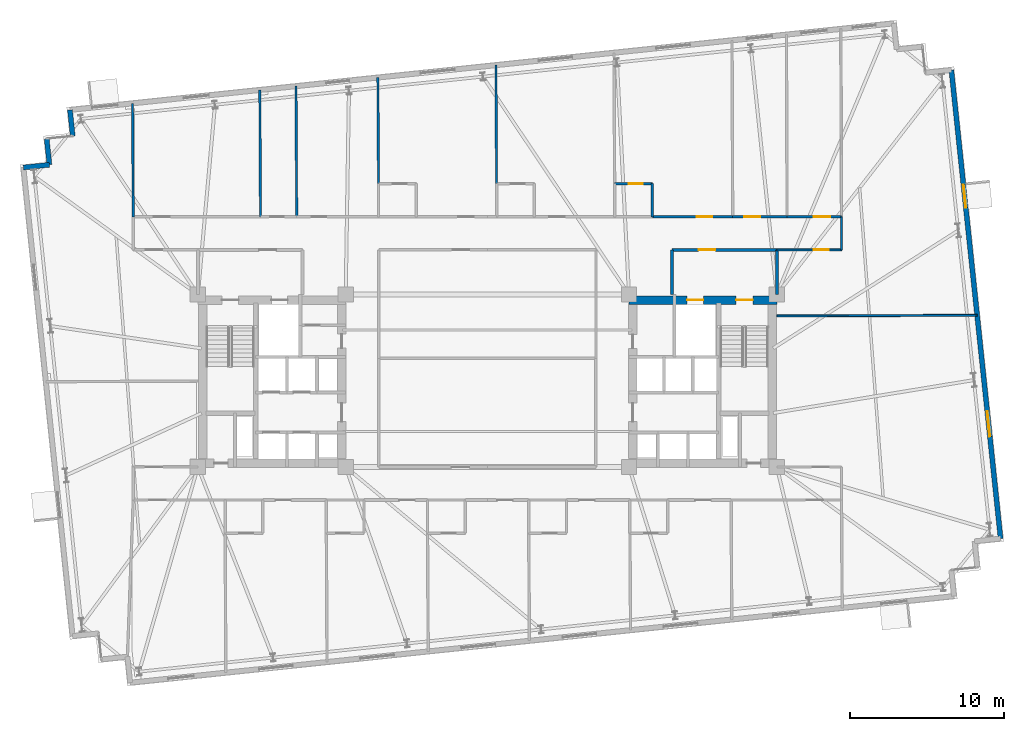
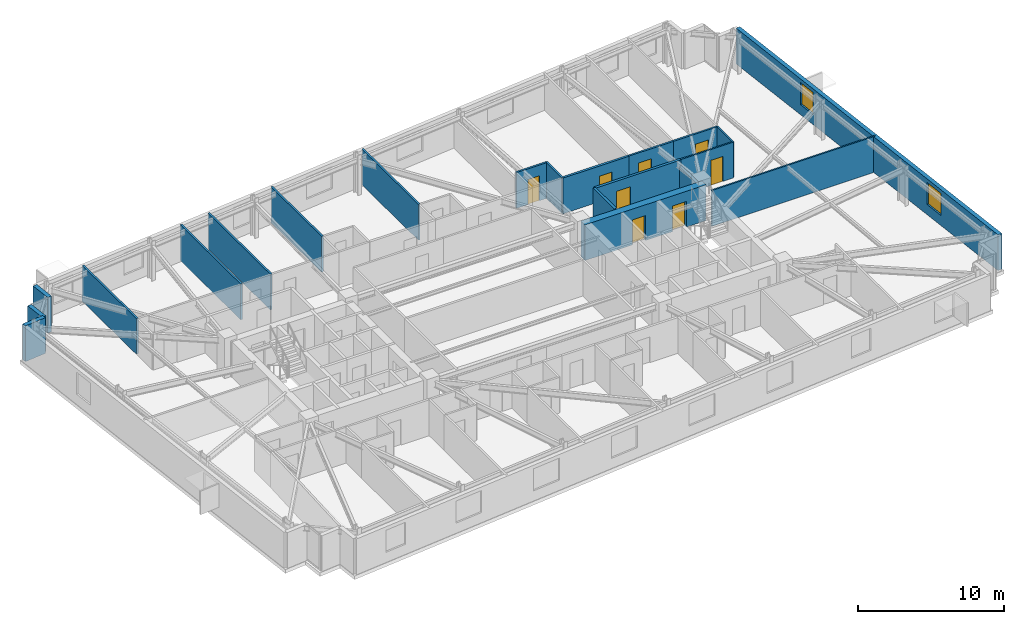
# One storey, part 15 of 19: 21 walls, 8 doors, 2 windows, 10 openings.
"""IFC4 building model written with IfcOpenShell, lengths in metres."""

from ifc_helpers import new_model, si_unit, direction, frame, frame_2d, origin, place, context, subcontext, project, spatial, rectangle, extrude, material, layer, layer_set, type_object, element, fill, save


model = new_model("IFC4")

# Units and contexts
model_context = context("Model", 3, precision=1e-05, world=origin(), true_north=direction((0.0, 1.0)))
body_context = subcontext(model_context, "Body", "Model", "MODEL_VIEW")
ifc_project = project(units=[si_unit("LENGTHUNIT", "METRE"), si_unit("AREAUNIT", "SQUARE_METRE"), si_unit("VOLUMEUNIT", "CUBIC_METRE"), si_unit("PLANEANGLEUNIT", "RADIAN"), si_unit("MASSUNIT", "GRAM", prefix="KILO")], contexts=[model_context])

# Site, building, storey
site_placement = place(None, origin())
site = spatial("IfcSite", under=ifc_project, at=site_placement, CompositionType="ELEMENT")
building_placement = place(site_placement, origin())
building = spatial("IfcBuilding", under=site, at=building_placement, Name="Qobustan Lattice House", CompositionType="ELEMENT")
storey_placement = place(building_placement, frame((0.0, 0.0, 122.550048828125)))
storey = spatial("IfcBuildingStorey", under=building, at=storey_placement, Name="L34", CompositionType="ELEMENT", Elevation=122.550048828125)

# Wall, openings, doors
ifc_material_1 = material(Name="Concrete C60/75", Category="concrete")
ifc_layer_1 = layer(ifc_material_1, 0.56005859375)
ifc_layer_set_1 = layer_set([ifc_layer_1], Name="Concrete C60/75")
wall_type_1 = type_object("IfcWallType", Name="WAL-CORE-600", PredefinedType="SHEAR", material=ifc_layer_set_1)
wall_1_placement = place(storey_placement, frame((9.199951171875, 5.239990234375, 0.0), z_axis=(0.0, 0.0, 1.0), x_axis=(1.0, 0.0, 0.0)))
wall_1 = element("IfcWall", 1, at=wall_1_placement, inside=storey, type_object=wall_type_1, Name="L34 split-core shear wall CE-N", PredefinedType="SHEAR", context=body_context, shape_type="SweptSolid", body=[
    extrude(rectangle(XDim=9.60009765625, YDim=0.56005859375, at=frame_2d((4.800048828125, 0.0))), origin(), (0.0, 0.0, 1.0), 3.0),
])
opening_1_placement = place(wall_1_placement, frame((6.949951171875, 0.0, 0.0)))
opening_1 = element("IfcOpeningElement", 2, at=opening_1_placement, cuts=wall_1, Name="Opening SD-01", PredefinedType="OPENING", context=body_context, shape_type="SweptSolid", body=[
    extrude(rectangle(XDim=1.10009765625, YDim=2.14990234375, at=frame_2d((0.550048828125, 1.074951171875))), frame((0.0, 0.2900390625, 0.0), z_axis=(0.0, -1.0, 0.0), x_axis=(1.0, 0.0, 0.0)), (0.0, 0.0, 1.0), 0.580078125),
])
opening_2_placement = place(wall_1_placement, frame((3.77490234375, 0.0, 0.0)))
opening_2 = element("IfcOpeningElement", 3, at=opening_2_placement, cuts=wall_1, Name="Opening LD-01", PredefinedType="OPENING", context=body_context, shape_type="SweptSolid", body=[
    extrude(rectangle(XDim=1.050048828125, YDim=2.10009765625, at=frame_2d((0.52490234375, 1.050048828125))), frame((0.0, 0.2900390625, 0.0), z_axis=(0.0, -1.0, 0.0), x_axis=(1.0, 0.0, 0.0)), (0.0, 0.0, 1.0), 0.580078125),
])
ifc_material_2 = material(Name="Persian walnut timber and steel frame door", Category="steel")
door_type_1 = type_object("IfcDoorType", Name="DOR-LIFT-LD-1050x2100", OperationType="NOTDEFINED", PredefinedType="DOOR", material=ifc_material_2)
door_1_placement = place(opening_2_placement, origin())
door_1 = element("IfcDoor", 4, at=door_1_placement, inside=storey, type_object=door_type_1, Name="L34 firefighting lift FF-E landing door", OperationType="DOUBLE_DOOR_SLIDING", OverallHeight=2.10009765625, OverallWidth=1.050048828125, PredefinedType="DOOR", context=body_context, shape_type="SweptSolid", body=[
    extrude(rectangle(XDim=1.050048828125, YDim=2.10009765625, at=frame_2d((0.52490234375, 1.050048828125))), frame((0.0, 0.02490234375, 0.0), z_axis=(0.0, -1.0, 0.0), x_axis=(1.0, 0.0, 0.0)), (0.0, 0.0, 1.0), 0.050048828125),
])
fill(opening_2, door_1)
ifc_material_3 = material(Name="Persian walnut timber and steel frame door", Category="steel")
door_type_2 = type_object("IfcDoorType", Name="DOR-STAIR-FD-1100x2150", OperationType="NOTDEFINED", PredefinedType="DOOR", material=ifc_material_3)
door_2_placement = place(opening_1_placement, origin())
door_2 = element("IfcDoor", 5, at=door_2_placement, inside=storey, type_object=door_type_2, Name="L34 exit stair ST-E1 fire door", OperationType="SINGLE_SWING_LEFT", OverallHeight=2.14990234375, OverallWidth=1.10009765625, PredefinedType="DOOR", context=body_context, shape_type="SweptSolid", body=[
    extrude(rectangle(XDim=1.10009765625, YDim=2.14990234375, at=frame_2d((0.550048828125, 1.074951171875))), frame((0.0, 0.02490234375, 0.0), z_axis=(0.0, -1.0, 0.0), x_axis=(1.0, 0.0, 0.0)), (0.0, 0.0, 1.0), 0.050048828125),
])
fill(opening_1, door_2)

# Walls
ifc_material_4 = material(Name="Precast concrete C40/50", Category="concrete")
ifc_layer_2 = layer(ifc_material_4, 0.320068359375)
ifc_layer_set_2 = layer_set([ifc_layer_2], Name="Precast concrete C40/50")
wall_type_2 = type_object("IfcWallType", Name="WAL-EXT-STONE-320", PredefinedType="SOLIDWALL", material=ifc_layer_set_2)
for number, where, z_axis, x_axis, name in (
    (6, (-30.13330078125, 13.84912109375, 0.0), (0.0, 0.0, 1.0), (0.994534530939, 0.104408173862, 0.0), "L34 exterior limestone-clad wall 6"),
    (7, (-28.442626953125, 14.026611328125, 0.0), (0.0, 0.0, 1.0), (-0.104550220202, 0.994519608382, 0.0), "L34 exterior limestone-clad wall 7"),
    (8, (-26.9296875, 15.89501953125, 0.0), (0.0, 0.0, 1.0), (-0.104550220202, 0.994519608382, 0.0), "L34 exterior limestone-clad wall 9"),
):
    element("IfcWall", number, at=place(storey_placement, frame(where, z_axis=z_axis, x_axis=x_axis)), inside=storey, type_object=wall_type_2, Name=name, PredefinedType="SOLIDWALL", context=body_context, shape_type="SweptSolid", body=[
        extrude(rectangle(XDim=1.699951171875, YDim=0.320068359375, at=frame_2d((0.85009765625, 0.0))), origin(), (0.0, 0.0, 1.0), 3.0),
    ])

# Wall, openings, windows
wall_2_placement = place(storey_placement, frame((30.134765625, 20.183349609375, 0.0), z_axis=(0.0, 0.0, 1.0), x_axis=(0.104525716865, -0.994522184023, 0.0)))
wall_2 = element("IfcWall", 9, at=wall_2_placement, inside=storey, type_object=wall_type_2, Name="L34 exterior limestone-clad wall 15", PredefinedType="SOLIDWALL", context=body_context, shape_type="SweptSolid", body=[
    extrude(rectangle(XDim=30.60009765625, YDim=0.320068359375, at=frame_2d((15.300048828125, 0.0))), origin(), (0.0, 0.0, 1.0), 3.0),
])
opening_3_placement = place(wall_2_placement, frame((7.500732421875, 0.0, 0.85009765625)))
opening_3 = element("IfcOpeningElement", 10, at=opening_3_placement, cuts=wall_2, Name="Opening WN-01", PredefinedType="OPENING", context=body_context, shape_type="SweptSolid", body=[
    extrude(rectangle(XDim=1.5, YDim=1.85009765625, at=frame_2d((0.75, 0.925048828125))), frame((0.0, 0.169921875, 0.0), z_axis=(0.0, -1.0, 0.0), x_axis=(1.0, 0.0, 0.0)), (0.0, 0.0, 1.0), 0.340087890625),
])
opening_4_placement = place(wall_2_placement, frame((22.28515625, 0.0, 0.85009765625)))
opening_4 = element("IfcOpeningElement", 11, at=opening_4_placement, cuts=wall_2, Name="Opening WN-09", PredefinedType="OPENING", context=body_context, shape_type="SweptSolid", body=[
    extrude(rectangle(XDim=1.64990234375, YDim=1.85009765625, at=frame_2d((0.824951171875, 0.925048828125))), frame((0.0, 0.169921875, 0.0), z_axis=(0.0, -1.0, 0.0), x_axis=(1.0, 0.0, 0.0)), (0.0, 0.0, 1.0), 0.340087890625),
])
ifc_material_5 = material(Name="Double-glazed low-E aluminium window", Category="aluminium")
window_type_1 = type_object("IfcWindowType", Name="WIN-BED-1500x1850", PartitioningType="SINGLE_PANEL", PredefinedType="WINDOW", material=ifc_material_5)
window_1_placement = place(opening_3_placement, origin())
window_1 = element("IfcWindow", 12, at=window_1_placement, inside=storey, type_object=window_type_1, Name="L34 Music and podcast studio window", OverallHeight=1.85009765625, OverallWidth=1.5, PartitioningType="SINGLE_PANEL", PredefinedType="WINDOW", context=body_context, shape_type="SweptSolid", body=[
    extrude(rectangle(XDim=1.5, YDim=1.85009765625, at=frame_2d((0.75, 0.925048828125))), frame((0.0, 0.030029296875, 0.0), z_axis=(0.0, -1.0, 0.0), x_axis=(1.0, 0.0, 0.0)), (0.0, 0.0, 1.0), 0.06005859375),
])
fill(opening_3, window_1)
ifc_material_6 = material(Name="Double-glazed low-E aluminium window", Category="aluminium")
window_type_2 = type_object("IfcWindowType", Name="WIN-STU-1650x1850", PartitioningType="SINGLE_PANEL", PredefinedType="WINDOW", material=ifc_material_6)
window_2_placement = place(opening_4_placement, origin())
window_2 = element("IfcWindow", 13, at=window_2_placement, inside=storey, type_object=window_type_2, Name="L34 Academic seminar room window", OverallHeight=1.85009765625, OverallWidth=1.64990234375, PartitioningType="SINGLE_PANEL", PredefinedType="WINDOW", context=body_context, shape_type="SweptSolid", body=[
    extrude(rectangle(XDim=1.64990234375, YDim=1.85009765625, at=frame_2d((0.824951171875, 0.925048828125))), frame((0.0, 0.030029296875, 0.0), z_axis=(0.0, -1.0, 0.0), x_axis=(1.0, 0.0, 0.0)), (0.0, 0.0, 1.0), 0.06005859375),
])
fill(opening_4, window_2)

# Wall, opening, door
ifc_material_7 = material(Name="Gypsum fireboard acoustic partition", Category="gypsum")
ifc_layer_3 = layer(ifc_material_7, 0.179931640625)
ifc_layer_set_3 = layer_set([ifc_layer_3], Name="Gypsum fireboard acoustic partition")
wall_type_3 = type_object("IfcWallType", Name="WAL-FIRE-180", PredefinedType="PARTITIONING", material=ifc_layer_set_3)
wall_3_placement = place(storey_placement, frame((10.717041015625, 10.64990234375, 0.0), z_axis=(0.0, 0.0, 1.0), x_axis=(1.0, 0.0, 0.0)))
wall_3 = element("IfcWall", 14, at=wall_3_placement, inside=storey, type_object=wall_type_3, Name="L34 interior partition 50", PredefinedType="PARTITIONING", context=body_context, shape_type="SweptSolid", body=[
    extrude(rectangle(XDim=5.216064453125, YDim=0.179931640625, at=frame_2d((2.60791015625, 0.0))), origin(), (0.0, 0.0, 1.0), 3.0),
])
opening_5_placement = place(wall_3_placement, frame((2.8720703125, 0.0, 0.0)))
opening_5 = element("IfcOpeningElement", 15, at=opening_5_placement, cuts=wall_3, Name="Opening FD-02", PredefinedType="OPENING", context=body_context, shape_type="SweptSolid", body=[
    extrude(rectangle(XDim=1.0, YDim=2.14990234375, at=frame_2d((0.5, 1.074951171875))), frame((0.0, 0.099853515625, 0.0), z_axis=(0.0, -1.0, 0.0), x_axis=(1.0, 0.0, 0.0)), (0.0, 0.0, 1.0), 0.199951171875),
])
ifc_material_8 = material(Name="Persian walnut timber and steel frame door", Category="steel")
door_type_3 = type_object("IfcDoorType", Name="DOR-UNIT-FD-1000x2150", OperationType="NOTDEFINED", PredefinedType="DOOR", material=ifc_material_8)
door_3_placement = place(opening_5_placement, origin())
door_3 = element("IfcDoor", 16, at=door_3_placement, inside=storey, type_object=door_type_3, Name="L34 North-east floor corridor to Kitchenette and studio apartment L34-N5 door", OperationType="SINGLE_SWING_LEFT", OverallHeight=2.14990234375, OverallWidth=1.0, PredefinedType="DOOR", context=body_context, shape_type="SweptSolid", body=[
    extrude(rectangle(XDim=1.0, YDim=2.14990234375, at=frame_2d((0.5, 1.074951171875))), frame((0.0, 0.02490234375, 0.0), z_axis=(0.0, -1.0, 0.0), x_axis=(1.0, 0.0, 0.0)), (0.0, 0.0, 1.0), 0.050048828125),
])
fill(opening_5, door_3)

ifc_material_9 = material(Name="Lightweight acoustic stud partition", Category="gypsum")
ifc_layer_4 = layer(ifc_material_9, 0.125)
ifc_layer_set_4 = layer_set([ifc_layer_4], Name="Lightweight acoustic stud partition")
wall_type_4 = type_object("IfcWallType", Name="WAL-PART-125", PredefinedType="PARTITIONING", material=ifc_layer_set_4)
wall_4_placement = place(storey_placement, frame((23.0, 8.5, 0.0), z_axis=(0.0, 0.0, 1.0), x_axis=(-1.0, 0.0, 0.0)))
wall_4 = element("IfcWall", 17, at=wall_4_placement, inside=storey, type_object=wall_type_4, Name="L34 interior partition 45", PredefinedType="PARTITIONING", context=body_context, shape_type="SweptSolid", body=[
    extrude(rectangle(XDim=4.199951171875, YDim=0.125, at=frame_2d((2.10009765625, 0.0))), origin(), (0.0, 0.0, 1.0), 3.0),
])
opening_6_placement = place(wall_4_placement, frame((0.84130859375, 0.0, 0.0)))
opening_6 = element("IfcOpeningElement", 18, at=opening_6_placement, cuts=wall_4, Name="Opening ID-01", PredefinedType="OPENING", context=body_context, shape_type="SweptSolid", body=[
    extrude(rectangle(XDim=0.949951171875, YDim=2.10009765625, at=frame_2d((0.47509765625, 1.050048828125))), frame((0.0, 0.072509765625, 0.0), z_axis=(0.0, -1.0, 0.0), x_axis=(1.0, 0.0, 0.0)), (0.0, 0.0, 1.0), 0.14501953125),
])
ifc_material_10 = material(Name="Persian walnut timber and steel frame door", Category="steel")
door_type_4 = type_object("IfcDoorType", Name="DOR-ROOM-950x2100", OperationType="NOTDEFINED", PredefinedType="DOOR", material=ifc_material_10)
door_4_placement = place(opening_6_placement, origin())
door_4 = element("IfcDoor", 19, at=door_4_placement, inside=storey, type_object=door_type_4, Name="L34 North-east floor corridor to Music and podcast studio door", OperationType="SINGLE_SWING_LEFT", OverallHeight=2.10009765625, OverallWidth=0.949951171875, PredefinedType="DOOR", context=body_context, shape_type="SweptSolid", body=[
    extrude(rectangle(XDim=0.949951171875, YDim=2.10009765625, at=frame_2d((0.47509765625, 1.050048828125))), frame((0.0, 0.02490234375, 0.0), z_axis=(0.0, -1.0, 0.0), x_axis=(1.0, 0.0, 0.0)), (0.0, 0.0, 1.0), 0.050048828125),
])
fill(opening_6, door_4)

# Walls
wall_5_placement = place(storey_placement, frame((23.0, 10.64990234375, 0.0), z_axis=(0.0, 0.0, 1.0), x_axis=(0.0, -1.0, 0.0)))
element("IfcWall", 20, at=wall_5_placement, inside=storey, type_object=wall_type_4, Name="L34 interior partition 46", PredefinedType="PARTITIONING", context=body_context, shape_type="SweptSolid", body=[
    extrude(rectangle(XDim=2.14990234375, YDim=0.125, at=frame_2d((1.074951171875, 0.0))), origin(), (0.0, 0.0, 1.0), 3.0),
])
wall_6_placement = place(storey_placement, frame((18.800048828125, 4.208251953125, 0.0), z_axis=(0.0, 0.0, 1.0), x_axis=(0.9999942944, 0.003378042094, 0.0)))
element("IfcWall", 21, at=wall_6_placement, inside=storey, type_object=wall_type_4, Name="L34 interior partition 81", PredefinedType="PARTITIONING", context=body_context, shape_type="SweptSolid", body=[
    extrude(rectangle(XDim=13.009033203125, YDim=0.125, at=frame_2d((6.50439453125, 0.0))), origin(), (0.0, 0.0, 1.0), 3.0),
])

# Wall, opening, door
ifc_material_11 = material(Name="Acoustic twin-stud gypsum partition", Category="gypsum")
ifc_layer_5 = layer(ifc_material_11, 0.14990234375)
ifc_layer_set_5 = layer_set([ifc_layer_5], Name="Acoustic twin-stud gypsum partition")
wall_type_5 = type_object("IfcWallType", Name="WAL-PART-150", PredefinedType="PARTITIONING", material=ifc_layer_set_5)
wall_7_placement = place(storey_placement, frame((15.93310546875, 10.64990234375, 0.0), z_axis=(0.0, 0.0, 1.0), x_axis=(1.0, 0.0, 0.0)))
wall_7 = element("IfcWall", 22, at=wall_7_placement, inside=storey, type_object=wall_type_5, Name="L34 interior partition 52", PredefinedType="PARTITIONING", context=body_context, shape_type="SweptSolid", body=[
    extrude(rectangle(XDim=3.533447265625, YDim=0.14990234375, at=frame_2d((1.7666015625, 0.0))), origin(), (0.0, 0.0, 1.0), 3.0),
])
opening_7_placement = place(wall_7_placement, frame((0.745361328125, 0.0, 0.0)))
opening_7 = element("IfcOpeningElement", 23, at=opening_7_placement, cuts=wall_7, Name="Opening ID-02", PredefinedType="OPENING", context=body_context, shape_type="SweptSolid", body=[
    extrude(rectangle(XDim=1.050048828125, YDim=2.14990234375, at=frame_2d((0.52490234375, 1.074951171875))), frame((0.0, 0.0849609375, 0.0), z_axis=(0.0, -1.0, 0.0), x_axis=(1.0, 0.0, 0.0)), (0.0, 0.0, 1.0), 0.169921875),
])
ifc_material_12 = material(Name="Persian walnut timber and steel frame door", Category="steel")
door_type_5 = type_object("IfcDoorType", Name="DOR-STUDY-1050x2150", OperationType="NOTDEFINED", PredefinedType="DOOR", material=ifc_material_12)
door_5_placement = place(opening_7_placement, origin())
door_5 = element("IfcDoor", 24, at=door_5_placement, inside=storey, type_object=door_type_5, Name="L34 North-east floor corridor to Focus study room N6A door", OperationType="SINGLE_SWING_RIGHT", OverallHeight=2.14990234375, OverallWidth=1.050048828125, PredefinedType="DOOR", context=body_context, shape_type="SweptSolid", body=[
    extrude(rectangle(XDim=1.050048828125, YDim=2.14990234375, at=frame_2d((0.52490234375, 1.074951171875))), frame((0.0, 0.02490234375, 0.0), z_axis=(0.0, -1.0, 0.0), x_axis=(1.0, 0.0, 0.0)), (0.0, 0.0, 1.0), 0.050048828125),
])
fill(opening_7, door_5)

wall_8_placement = place(storey_placement, frame((19.466552734375, 10.64990234375, 0.0), z_axis=(0.0, 0.0, 1.0), x_axis=(1.0, 0.0, 0.0)))
wall_8 = element("IfcWall", 25, at=wall_8_placement, inside=storey, type_object=wall_type_5, Name="L34 interior partition 53", PredefinedType="PARTITIONING", context=body_context, shape_type="SweptSolid", body=[
    extrude(rectangle(XDim=3.533447265625, YDim=0.14990234375, at=frame_2d((1.7666015625, 0.0))), origin(), (0.0, 0.0, 1.0), 3.0),
])
opening_8_placement = place(wall_8_placement, frame((1.738037109375, 0.0, 0.0)))
opening_8 = element("IfcOpeningElement", 26, at=opening_8_placement, cuts=wall_8, Name="Opening ID-02", PredefinedType="OPENING", context=body_context, shape_type="SweptSolid", body=[
    extrude(rectangle(XDim=1.050048828125, YDim=2.14990234375, at=frame_2d((0.52490234375, 1.074951171875))), frame((0.0, 0.0849609375, 0.0), z_axis=(0.0, -1.0, 0.0), x_axis=(1.0, 0.0, 0.0)), (0.0, 0.0, 1.0), 0.169921875),
])
door_6_placement = place(opening_8_placement, origin())
door_6 = element("IfcDoor", 27, at=door_6_placement, inside=storey, type_object=door_type_5, Name="L34 North-east floor corridor to Focus study room N6B door", OperationType="SINGLE_SWING_LEFT", OverallHeight=2.14990234375, OverallWidth=1.050048828125, PredefinedType="DOOR", context=body_context, shape_type="SweptSolid", body=[
    extrude(rectangle(XDim=1.050048828125, YDim=2.14990234375, at=frame_2d((0.52490234375, 1.074951171875))), frame((0.0, 0.02490234375, 0.0), z_axis=(0.0, -1.0, 0.0), x_axis=(1.0, 0.0, 0.0)), (0.0, 0.0, 1.0), 0.050048828125),
])
fill(opening_8, door_6)

# Walls
wall_9_placement = place(storey_placement, frame((-23.0439453125, 18.0126953125, 0.0), z_axis=(0.0, 0.0, 1.0), x_axis=(0.005968459246, -0.999982188588, 0.0)))
element("IfcWall", 28, at=wall_9_placement, inside=storey, type_object=wall_type_5, Name="L34 interior partition 80", PredefinedType="PARTITIONING", context=body_context, shape_type="SweptSolid", body=[
    extrude(rectangle(XDim=7.363037109375, YDim=0.14990234375, at=frame_2d((3.681640625, 0.0))), origin(), (0.0, 0.0, 1.0), 3.0),
])
wall_10_placement = place(storey_placement, frame((-7.11083984375, 19.6875, 0.0), z_axis=(0.0, 0.0, 1.0), x_axis=(0.006380360007, -0.999979645296, 0.0)))
element("IfcWall", 29, at=wall_10_placement, inside=storey, type_object=wall_type_5, Name="L34 interior partition 86", PredefinedType="PARTITIONING", context=body_context, shape_type="SweptSolid", body=[
    extrude(rectangle(XDim=6.8876953125, YDim=0.14990234375, at=frame_2d((3.44384765625, 0.0))), origin(), (0.0, 0.0, 1.0), 3.0),
])
wall_11_placement = place(storey_placement, frame((0.55615234375, 20.493408203125, 0.0), z_axis=(0.0, 0.0, 1.0), x_axis=(0.005712016487, -0.999983686301, 0.0)))
element("IfcWall", 30, at=wall_11_placement, inside=storey, type_object=wall_type_5, Name="L34 interior partition 90", PredefinedType="PARTITIONING", context=body_context, shape_type="SweptSolid", body=[
    extrude(rectangle(XDim=7.693603515625, YDim=0.14990234375, at=frame_2d((3.8466796875, 0.0))), origin(), (0.0, 0.0, 1.0), 3.0),
])

# Wall, opening, door
ifc_material_13 = material(Name="Two-hour gypsum fireboard acoustic partition", Category="gypsum")
ifc_layer_6 = layer(ifc_material_13, 0.199951171875)
ifc_layer_set_6 = layer_set([ifc_layer_6], Name="Two-hour gypsum fireboard acoustic partition")
wall_type_6 = type_object("IfcWallType", Name="WAL-PROT-200", PredefinedType="PARTITIONING", material=ifc_layer_set_6)
wall_12_placement = place(storey_placement, frame((18.800048828125, 8.5, 0.0), z_axis=(0.0, 0.0, 1.0), x_axis=(-1.0, 0.0, 0.0)))
wall_12 = element("IfcWall", 31, at=wall_12_placement, inside=storey, type_object=wall_type_6, Name="L34 interior partition 22", PredefinedType="PARTITIONING", context=body_context, shape_type="SweptSolid", body=[
    extrude(rectangle(XDim=6.800048828125, YDim=0.199951171875, at=frame_2d((3.39990234375, 0.0))), origin(), (0.0, 0.0, 1.0), 3.0),
])
opening_9_placement = place(wall_12_placement, frame((3.985107421875, 0.0, 0.0)))
opening_9 = element("IfcOpeningElement", 32, at=opening_9_placement, cuts=wall_12, Name="Opening SD-01", PredefinedType="OPENING", context=body_context, shape_type="SweptSolid", body=[
    extrude(rectangle(XDim=1.10009765625, YDim=2.14990234375, at=frame_2d((0.550048828125, 1.074951171875))), frame((0.0, 0.10986328125, 0.0), z_axis=(0.0, -1.0, 0.0), x_axis=(1.0, 0.0, 0.0)), (0.0, 0.0, 1.0), 0.219970703125),
])
door_7_placement = place(opening_9_placement, origin())
door_7 = element("IfcDoor", 33, at=door_7_placement, inside=storey, type_object=door_type_2, Name="L34 East firefighting lift lobby to North-east floor corridor door", OperationType="SINGLE_SWING_RIGHT", OverallHeight=2.14990234375, OverallWidth=1.10009765625, PredefinedType="DOOR", context=body_context, shape_type="SweptSolid", body=[
    extrude(rectangle(XDim=1.10009765625, YDim=2.14990234375, at=frame_2d((0.550048828125, 1.074951171875))), frame((0.0, 0.02490234375, 0.0), z_axis=(0.0, -1.0, 0.0), x_axis=(1.0, 0.0, 0.0)), (0.0, 0.0, 1.0), 0.050048828125),
])
fill(opening_9, door_7)

# Walls
wall_13_placement = place(storey_placement, frame((12.0, 8.5, 0.0), z_axis=(0.0, 0.0, 1.0), x_axis=(0.0, -1.0, 0.0)))
element("IfcWall", 34, at=wall_13_placement, inside=storey, type_object=wall_type_6, Name="L34 interior partition 23", PredefinedType="PARTITIONING", context=body_context, shape_type="SweptSolid", body=[
    extrude(rectangle(XDim=2.89990234375, YDim=0.199951171875, at=frame_2d((1.449951171875, 0.0))), origin(), (0.0, 0.0, 1.0), 3.0),
])
wall_14_placement = place(storey_placement, frame((18.800048828125, 5.60009765625, 0.0), z_axis=(0.0, 0.0, 1.0), x_axis=(0.0, 1.0, 0.0)))
element("IfcWall", 35, at=wall_14_placement, inside=storey, type_object=wall_type_6, Name="L34 interior partition 24", PredefinedType="PARTITIONING", context=body_context, shape_type="SweptSolid", body=[
    extrude(rectangle(XDim=2.89990234375, YDim=0.199951171875, at=frame_2d((1.449951171875, 0.0))), origin(), (0.0, 0.0, 1.0), 2.48486328125),
])
ifc_material_14 = material(Name="Moisture-resistant acoustic plumbing wall", Category="gypsum")
ifc_layer_7 = layer(ifc_material_14, 0.14990234375)
ifc_layer_set_7 = layer_set([ifc_layer_7], Name="Moisture-resistant acoustic plumbing wall")
wall_type_7 = type_object("IfcWallType", Name="WAL-WET-150", PredefinedType="PLUMBINGWALL", material=ifc_layer_set_7)
wall_15_placement = place(storey_placement, frame((-14.77685546875, 18.881591796875, 0.0), z_axis=(0.0, 0.0, 1.0), x_axis=(0.005338477179, -0.999985750229, 0.0)))
element("IfcWall", 36, at=wall_15_placement, inside=storey, type_object=wall_type_7, Name="L34 interior partition 84", PredefinedType="PLUMBINGWALL", context=body_context, shape_type="SweptSolid", body=[
    extrude(rectangle(XDim=8.231689453125, YDim=0.14990234375, at=frame_2d((4.11572265625, 0.0))), origin(), (0.0, 0.0, 1.0), 3.0),
])
wall_16_placement = place(storey_placement, frame((-12.427001953125, 19.128662109375, 0.0), z_axis=(0.0, 0.0, 1.0), x_axis=(0.005182918666, -0.999986568587, 0.0)))
element("IfcWall", 37, at=wall_16_placement, inside=storey, type_object=wall_type_7, Name="L34 interior partition 85", PredefinedType="PLUMBINGWALL", context=body_context, shape_type="SweptSolid", body=[
    extrude(rectangle(XDim=8.478759765625, YDim=0.14990234375, at=frame_2d((4.2392578125, 0.0))), origin(), (0.0, 0.0, 1.0), 3.0),
])

# Wall, opening, door
wall_17_placement = place(storey_placement, frame((10.717041015625, 12.800048828125, 0.0), z_axis=(0.0, 0.0, 1.0), x_axis=(-1.0, 0.0, 0.0)))
wall_17 = element("IfcWall", 38, at=wall_17_placement, inside=storey, type_object=wall_type_7, Name="L34 interior partition 96", PredefinedType="PLUMBINGWALL", context=body_context, shape_type="SweptSolid", body=[
    extrude(rectangle(XDim=2.449951171875, YDim=0.14990234375, at=frame_2d((1.22509765625, 0.0))), origin(), (0.0, 0.0, 1.0), 3.0),
])
opening_10_placement = place(wall_17_placement, frame((0.62890625, 0.0, 0.0)))
opening_10 = element("IfcOpeningElement", 39, at=opening_10_placement, cuts=wall_17, Name="Opening WD-01", PredefinedType="OPENING", context=body_context, shape_type="SweptSolid", body=[
    extrude(rectangle(XDim=0.89990234375, YDim=2.10009765625, at=frame_2d((0.449951171875, 1.050048828125))), frame((0.0, 0.0849609375, 0.0), z_axis=(0.0, -1.0, 0.0), x_axis=(1.0, 0.0, 0.0)), (0.0, 0.0, 1.0), 0.169921875),
])
ifc_material_15 = material(Name="Persian walnut timber and steel frame door", Category="steel")
door_type_6 = type_object("IfcDoorType", Name="DOR-WET-900x2100", OperationType="NOTDEFINED", PredefinedType="DOOR", material=ifc_material_15)
door_8_placement = place(opening_10_placement, origin())
door_8 = element("IfcDoor", 40, at=door_8_placement, inside=storey, type_object=door_type_6, Name="L34 Kitchenette and studio apartment L34-N5 to En-suite bathroom L34-N5 door", OperationType="SINGLE_SWING_RIGHT", OverallHeight=2.10009765625, OverallWidth=0.89990234375, PredefinedType="DOOR", context=body_context, shape_type="SweptSolid", body=[
    extrude(rectangle(XDim=0.89990234375, YDim=2.10009765625, at=frame_2d((0.449951171875, 1.050048828125))), frame((0.0, 0.02490234375, 0.0), z_axis=(0.0, -1.0, 0.0), x_axis=(1.0, 0.0, 0.0)), (0.0, 0.0, 1.0), 0.050048828125),
])
fill(opening_10, door_8)

# Wall
wall_18_placement = place(storey_placement, frame((10.717041015625, 10.64990234375, 0.0), z_axis=(0.0, 0.0, 1.0), x_axis=(0.0, 1.0, 0.0)))
element("IfcWall", 41, at=wall_18_placement, inside=storey, type_object=wall_type_7, Name="L34 interior partition 97", PredefinedType="PLUMBINGWALL", context=body_context, shape_type="SweptSolid", body=[
    extrude(rectangle(XDim=2.150146484375, YDim=0.14990234375, at=frame_2d((1.0751953125, 0.0))), origin(), (0.0, 0.0, 1.0), 3.0),
])

save(model, "model.ifc")
